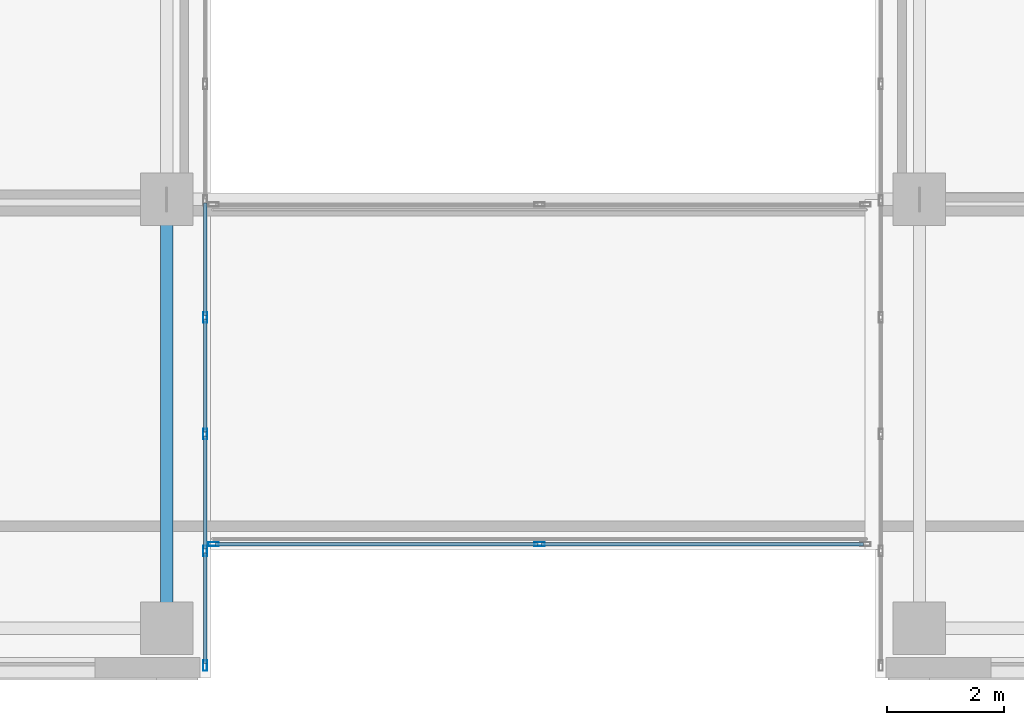
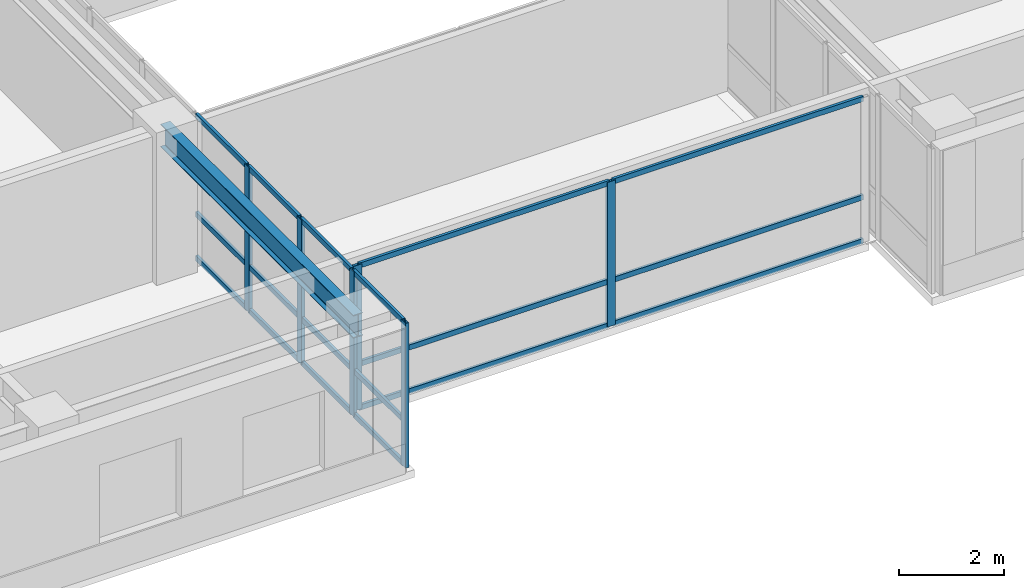
# One storey, part 2 of 31: 24 members, 1 beam, 2 elements without a shape of their own.
"""IFC4 building model written with IfcOpenShell, lengths in metres."""

import ifcopenshell
import ifcopenshell.guid

model = None  # the IFC model being written
_history = None  # IfcOwnerHistory: only IFC2X3 demands one
_inside = {}  # id of a spatial element -> (the spatial element, [elements in it])
_under = {}  # id of a project, library or spatial element -> (it, [spatial elements below it])
_declared = {}  # id of a project -> (the project, [libraries it declares])
_typed = {}  # id of a type object -> (the type object, [elements of that type])
_made_of = {}  # id of a material, layer set ... -> (it, [elements and type objects made of it])


def new_model(schema):
    """Start an empty IFC model of exactly this schema.

    Asked for "IFC4X3", IfcOpenShell would pick the latest addendum, in which some entities
    have other attributes; the version numbers below select the first issue.
    IFC2X3 requires an IfcOwnerHistory on every rooted entity: one is made here for all.
    """
    global model, _history
    if schema == "IFC4X3":
        model = ifcopenshell.file(schema_version=(4, 3, 0, 0))
    else:
        model = ifcopenshell.file(schema=schema)
    _inside.clear()
    _under.clear()
    _declared.clear()
    _typed.clear()
    _made_of.clear()
    _history = None
    if model.schema == "IFC2X3":
        org = make("IfcOrganization", Name="unknown")
        user = make(
            "IfcPersonAndOrganization",
            ThePerson=make("IfcPerson", FamilyName="unknown"),
            TheOrganization=org,
        )
        app = make(
            "IfcApplication",
            ApplicationDeveloper=org,
            Version="unknown",
            ApplicationFullName="unknown",
            ApplicationIdentifier="unknown",
        )
        _history = make(
            "IfcOwnerHistory",
            OwningUser=user,
            OwningApplication=app,
            ChangeAction="ADDED",
            CreationDate=0,
        )
    return model


def make(cls, **values):
    """One entity of the class cls with the attributes given. An attribute that is None is left unset."""
    return model.create_entity(
        cls, **{name: value for name, value in values.items() if value is not None}
    )


def rooted(cls, **values):
    """An entity with a GlobalId (a new one), such as an element, a storey or a relation."""
    return make(cls, GlobalId=ifcopenshell.guid.new(), OwnerHistory=_history, **values)


def si_unit(unit_type, name, prefix=None):
    """IfcSIUnit, for example si_unit("LENGTHUNIT", "METRE", prefix="MILLI")."""
    return make("IfcSIUnit", UnitType=unit_type, Prefix=prefix, Name=name)


def assignment(units):
    """IfcUnitAssignment: the units of a project."""
    return None if units is None else make("IfcUnitAssignment", Units=units)


def point(xyz):
    """IfcCartesianPoint."""
    return None if xyz is None else make("IfcCartesianPoint", Coordinates=xyz)


def direction(xyz):
    """IfcDirection."""
    return None if xyz is None else make("IfcDirection", DirectionRatios=xyz)


def frame(location, z_axis=None, x_axis=None):
    """IfcAxis2Placement3D, a coordinate frame: its origin and axes. An axis left out is left unset."""
    return make(
        "IfcAxis2Placement3D",
        Location=point(location),
        Axis=direction(z_axis),
        RefDirection=direction(x_axis),
    )


def frame_2d(location, x_axis=None):
    """IfcAxis2Placement2D, a coordinate frame in the plane: its origin and x axis."""
    return make(
        "IfcAxis2Placement2D", Location=point(location), RefDirection=direction(x_axis)
    )


def origin():
    """The frame at (0, 0, 0) with its axes left unset."""
    return frame((0.0, 0.0, 0.0))


def origin_2d():
    """The frame at (0, 0) in the plane with its x axis left unset."""
    return frame_2d((0.0, 0.0))


def place(relative_to, where):
    """IfcLocalPlacement: puts the frame where relative to a parent placement (None: the world)."""
    return make(
        "IfcLocalPlacement", PlacementRelTo=relative_to, RelativePlacement=where
    )


def context(
    kind, dimensions, precision=None, world=None, true_north=None, identifier=None
):
    """IfcGeometricRepresentationContext, for example the 3D "Model" context."""
    return make(
        "IfcGeometricRepresentationContext",
        ContextIdentifier=identifier,
        ContextType=kind,
        CoordinateSpaceDimension=dimensions,
        Precision=precision,
        WorldCoordinateSystem=world,
        TrueNorth=true_north,
    )


def subcontext(parent, identifier, kind, view, scale=None):
    """IfcGeometricRepresentationSubContext, for example "Body" below "Model"."""
    return make(
        "IfcGeometricRepresentationSubContext",
        ContextIdentifier=identifier,
        ContextType=kind,
        ParentContext=parent,
        TargetScale=scale,
        TargetView=view,
    )


def project(units=None, contexts=None):
    """IfcProject with its units and contexts."""
    return rooted(
        "IfcProject",
        Name="project",
        RepresentationContexts=contexts,
        UnitsInContext=assignment(units),
    )


def spatial(cls, under=None, at=None, **own):
    """A site, building, storey or space (cls), placed at a placement, below another one or the project."""
    s = rooted(cls, ObjectPlacement=at, **own)
    if under is not None:
        _under.setdefault(under.id(), (under, []))[1].append(s)
    return s


def profile(cls, at=None, kind="AREA", **sizes):
    """A parametric profile (cls). Its sizes go by their IFC names, for example OverallWidth=200.0."""
    return make(cls, ProfileType=kind, Position=at, **sizes)


def hollow_rectangle(**sizes):
    """IfcRectangleHollowProfileDef."""
    return profile("IfcRectangleHollowProfileDef", **sizes)


def i_section(**sizes):
    """IfcIShapeProfileDef."""
    return profile("IfcIShapeProfileDef", **sizes)


def extrude(swept, where, along, depth):
    """IfcExtrudedAreaSolid: the profile swept, set in the frame where, extruded along a direction by depth."""
    return make(
        "IfcExtrudedAreaSolid",
        SweptArea=swept,
        Position=where,
        ExtrudedDirection=direction(along),
        Depth=depth,
    )


def shape(context_of_items, identifier, shape_type, items):
    """IfcShapeRepresentation: the items that make up one representation, for example the "Body"."""
    return make(
        "IfcShapeRepresentation",
        ContextOfItems=context_of_items,
        RepresentationIdentifier=identifier,
        RepresentationType=shape_type,
        Items=items,
    )


def source(mapping_origin, context_of_items, identifier, shape_type, items):
    """IfcRepresentationMap: a shape defined once, which mapped items show again and again."""
    return make(
        "IfcRepresentationMap",
        MappingOrigin=mapping_origin,
        MappedRepresentation=shape(context_of_items, identifier, shape_type, items),
    )


def transform(
    local_origin,
    x_axis=None,
    y_axis=None,
    z_axis=None,
    scale=None,
    scale2=None,
    scale3=None,
    uniform=True,
):
    """IfcCartesianTransformationOperator3D, or its non-uniform kind. x_axis, y_axis, z_axis: its Axis1, 2, 3."""
    if uniform:
        return make(
            "IfcCartesianTransformationOperator3D",
            Axis1=direction(x_axis),
            Axis2=direction(y_axis),
            LocalOrigin=point(local_origin),
            Scale=scale,
            Axis3=direction(z_axis),
        )
    return make(
        "IfcCartesianTransformationOperator3DnonUniform",
        Axis1=direction(x_axis),
        Axis2=direction(y_axis),
        LocalOrigin=point(local_origin),
        Scale=scale,
        Axis3=direction(z_axis),
        Scale2=scale2,
        Scale3=scale3,
    )


def mapped(mapping_source, mapping_target):
    """IfcMappedItem: shows the shape of a source again, moved by a transform."""
    return make(
        "IfcMappedItem", MappingSource=mapping_source, MappingTarget=mapping_target
    )


def material(Name=None, Category=None):
    """IfcMaterial."""
    return make("IfcMaterial", Name=Name, Category=Category)


def layer(
    of_material, thickness, ventilated=None, Name=None, Category=None, Priority=None
):
    """IfcMaterialLayer: one layer of a wall or slab, of a material (None: an air gap)."""
    return make(
        "IfcMaterialLayer",
        Material=of_material,
        LayerThickness=thickness,
        IsVentilated=ventilated,
        Name=Name,
        Category=Category,
        Priority=Priority,
    )


def layer_set(layers, Name=None):
    """IfcMaterialLayerSet."""
    return make("IfcMaterialLayerSet", MaterialLayers=layers, LayerSetName=Name)


def material_profile(
    of_material, cross_section, Name=None, Category=None, Priority=None
):
    """IfcMaterialProfile: a cross section and its material."""
    return make(
        "IfcMaterialProfile",
        Name=Name,
        Material=of_material,
        Profile=cross_section,
        Priority=Priority,
        Category=Category,
    )


def profile_set(profiles, Name=None, composite=None):
    """IfcMaterialProfileSet."""
    return make(
        "IfcMaterialProfileSet",
        Name=Name,
        MaterialProfiles=profiles,
        CompositeProfile=composite,
    )


def made_of(thing, what):
    """Note that an element or type object is made of a material, layer set ...; save() writes the relation."""
    if what is not None:
        _made_of.setdefault(what.id(), (what, []))[1].append(thing)
    return thing


def type_object(cls, material=None, **own):
    """A type object (cls), such as IfcWallType, which elements share."""
    return made_of(rooted(cls, **own), material)


def type_shapes(of_type, sources):
    """Give a type object the sources (RepresentationMaps) that its elements show as mapped items."""
    of_type.RepresentationMaps = sources


def element(
    cls,
    number,
    at=None,
    inside=None,
    cuts=None,
    type_object=None,
    material=None,
    context=None,
    identifier="Body",
    shape_type=None,
    held_by="IfcProductDefinitionShape",
    body=None,
    shapes=None,
    **own,
):
    """One element of the class cls, such as IfcWall. Its Tag is "e" and its number.

    at: its placement. inside: the storey or other place that contains it. cuts: it is an
    opening in that element (IfcRelVoidsElement). A single representation is given by context,
    identifier, shape_type and body (its items); several are given by shapes. held_by: the class
    of the entity that holds the representations. save() writes the other relations.
    """
    e = rooted(cls, Tag="e%d" % number, ObjectPlacement=at, **own)
    if body is not None:
        shapes = [shape(context, identifier, shape_type, body)]
    if shapes is not None:
        e.Representation = make(held_by, Representations=shapes)
    if inside is not None:
        _inside.setdefault(inside.id(), (inside, []))[1].append(e)
    if cuts is not None:
        rooted(
            "IfcRelVoidsElement", RelatingBuildingElement=cuts, RelatedOpeningElement=e
        )
    if type_object is not None:
        _typed.setdefault(type_object.id(), (type_object, []))[1].append(e)
    return made_of(e, material)


def aggregate(whole, parts):
    """IfcRelAggregates: a whole, such as a stair, and the parts it consists of."""
    return rooted("IfcRelAggregates", RelatingObject=whole, RelatedObjects=parts)


def save(model, path):
    """Write the relations noted so far, then the file.

    IfcRelAggregates (storeys below a building ...), IfcRelContainedInSpatialStructure (elements
    in a storey), IfcRelDefinesByType, IfcRelAssociatesMaterial and IfcRelDeclares: one each for
    every whole, place, type object, material and project.
    """
    for whole, parts in _under.values():
        aggregate(whole, parts)
    for where, things in _inside.values():
        rooted(
            "IfcRelContainedInSpatialStructure",
            RelatedElements=things,
            RelatingStructure=where,
        )
    for kind, things in _typed.values():
        rooted("IfcRelDefinesByType", RelatedObjects=things, RelatingType=kind)
    for what, things in _made_of.values():
        rooted("IfcRelAssociatesMaterial", RelatedObjects=things, RelatingMaterial=what)
    for by, libraries in _declared.values():
        rooted("IfcRelDeclares", RelatingContext=by, RelatedDefinitions=libraries)
    model.write(path)


model = new_model("IFC4")

# Units and contexts
model_context = context("Model", 3, precision=1e-05, world=origin(), true_north=direction((0.0, 1.0)))
body_context = subcontext(model_context, "Body", "Model", "MODEL_VIEW")
ifc_project = project(units=[si_unit("LENGTHUNIT", "METRE"), si_unit("AREAUNIT", "SQUARE_METRE"), si_unit("VOLUMEUNIT", "CUBIC_METRE"), si_unit("PLANEANGLEUNIT", "RADIAN"), si_unit("MASSUNIT", "GRAM", prefix="KILO")], contexts=[model_context])

# Site, building, storey
site_placement = place(None, origin())
site = spatial("IfcSite", under=ifc_project, at=site_placement, CompositionType="ELEMENT")
building_placement = place(site_placement, origin())
building = spatial("IfcBuilding", under=site, at=building_placement, Name="Tolvann Quenvar Hotel", CompositionType="ELEMENT")
storey_placement = place(building_placement, frame((0.0, 0.0, 125.75)))
storey = spatial("IfcBuildingStorey", under=building, at=storey_placement, Name="L32", CompositionType="ELEMENT", Elevation=125.75)

# Beam
ifc_material_1 = material(Name="Steel Grade 350", Category="steel")
ifc_material_profile_1 = material_profile(ifc_material_1, i_section(OverallWidth=0.208984375, OverallDepth=0.532958984375, WebThickness=0.01025390625, FlangeThickness=0.015625, FilletRadius=0.013916015625, at=origin_2d()), Name="530UB92")
ifc_profile_set_1 = profile_set([ifc_material_profile_1], Name="Steel Grade 350")
beam_type = type_object("IfcBeamType", Name="BM_GIRD_530UB92", PredefinedType="BEAM", material=ifc_profile_set_1)
shared_shape_1 = source(origin(), body_context, "Body", "SweptSolid", [
    extrude(i_section(OverallWidth=0.208984375, OverallDepth=0.532958984375, WebThickness=0.01025390625, FlangeThickness=0.015625, FilletRadius=0.013916015625, at=origin_2d()), origin(), (0.0, 0.0, 1.0), 7.349853515625),
])
type_shapes(beam_type, [shared_shape_1])
beam_placement = place(storey_placement, frame((22.050048828125, 0.85009765625, 3.103515625), z_axis=(0.0, 1.0, 0.0), x_axis=(-1.0, 0.0, 0.0)))
element("IfcBeam", 1, at=beam_placement, inside=storey, type_object=beam_type, Name="BM-L32-NS-E2-E3", PredefinedType="BEAM", context=body_context, shape_type="MappedRepresentation", body=[
    mapped(shared_shape_1, transform((0.0, 0.0, 0.0), x_axis=(1.0, 0.0, 0.0), y_axis=(0.0, 1.0, 0.0), z_axis=(0.0, 0.0, 1.0), scale=1.0)),
])

# Curtain wall, members
ifc_material_2 = material(Name="Thermally broken anodised architectural aluminium 6063-T6 and laminated low-E glass", Category="aluminium")
ifc_layer = layer(ifc_material_2, 0.179931640625)
ifc_layer_set = layer_set([ifc_layer], Name="Thermally broken anodised architectural aluminium 6063-T6 and laminated low-E glass")
curtain_wall_type = type_object("IfcCurtainWallType", Name="CW_SYS_SLOT_03", PredefinedType="USERDEFINED", material=ifc_layer_set)
curtain_wall_1_placement = place(storey_placement, origin())
curtain_wall_1 = element("IfcCurtainWall", 2, at=curtain_wall_1_placement, inside=storey, type_object=curtain_wall_type, Name="Curtain Wall CW-SLOT-03 (CWR-L32-E05)", ObjectType="UNITISED CURTAIN WALL", PredefinedType="USERDEFINED")
ifc_material_3 = material(Name="Anodised architectural aluminium 6063-T6 framing", Category="aluminium")
ifc_material_profile_2 = material_profile(ifc_material_3, hollow_rectangle(XDim=0.070068359375, YDim=0.179931640625, WallThickness=0.00390625, at=origin_2d()), Name="180x70x4RHS")
ifc_profile_set_2 = profile_set([ifc_material_profile_2], Name="Anodised architectural aluminium 6063-T6 framing")
member_type_1 = type_object("IfcMemberType", Name="CW_MULL_180x70", PredefinedType="MULLION", material=ifc_profile_set_2)
shared_shape_2 = source(origin(), body_context, "Body", "SweptSolid", [
    extrude(hollow_rectangle(XDim=0.070068359375, YDim=0.179931640625, WallThickness=0.00390625, at=origin_2d()), origin(), (0.0, 0.0, 1.0), 3.3701171875),
])
type_shapes(member_type_1, [shared_shape_2])
member_1_placement = place(storey_placement, frame((22.7099609375, 0.2099609375, 0.0), z_axis=(0.0, 0.0, 1.0), x_axis=(-1.0, 0.0, 0.0)))
member_1 = element("IfcMember", 3, at=member_1_placement, type_object=member_type_1, Name="CW-SLOT-03 mullion 1", PredefinedType="MULLION", context=body_context, shape_type="MappedRepresentation", body=[
    mapped(shared_shape_2, transform((0.0, 0.0, 0.0), x_axis=(1.0, 0.0, 0.0), y_axis=(0.0, 1.0, 0.0), z_axis=(0.0, 0.0, 1.0), scale=1.0)),
])
member_2_placement = place(storey_placement, frame((22.7099609375, 2.175048828125, 0.0), z_axis=(0.0, 0.0, 1.0), x_axis=(-1.0, 0.0, 0.0)))
member_2 = element("IfcMember", 4, at=member_2_placement, type_object=member_type_1, Name="CW-SLOT-03 mullion 2", PredefinedType="MULLION", context=body_context, shape_type="MappedRepresentation", body=[
    mapped(shared_shape_2, transform((0.0, 0.0, 0.0), x_axis=(1.0, 0.0, 0.0), y_axis=(0.0, 1.0, 0.0), z_axis=(0.0, 0.0, 1.0), scale=1.0)),
])
member_3_placement = place(storey_placement, frame((22.7099609375, 4.175048828125, 0.0), z_axis=(0.0, 0.0, 1.0), x_axis=(-1.0, 0.0, 0.0)))
member_3 = element("IfcMember", 5, at=member_3_placement, type_object=member_type_1, Name="CW-SLOT-03 mullion 3", PredefinedType="MULLION", context=body_context, shape_type="MappedRepresentation", body=[
    mapped(shared_shape_2, transform((0.0, 0.0, 0.0), x_axis=(1.0, 0.0, 0.0), y_axis=(0.0, 1.0, 0.0), z_axis=(0.0, 0.0, 1.0), scale=1.0)),
])
member_4_placement = place(storey_placement, frame((22.7099609375, 6.175048828125, 0.0), z_axis=(0.0, 0.0, 1.0), x_axis=(-1.0, 0.0, 0.0)))
member_4 = element("IfcMember", 6, at=member_4_placement, type_object=member_type_1, Name="CW-SLOT-03 mullion 4", PredefinedType="MULLION", context=body_context, shape_type="MappedRepresentation", body=[
    mapped(shared_shape_2, transform((0.0, 0.0, 0.0), x_axis=(1.0, 0.0, 0.0), y_axis=(0.0, 1.0, 0.0), z_axis=(0.0, 0.0, 1.0), scale=1.0)),
])

curtain_wall_2_placement = place(storey_placement, origin())
curtain_wall_2 = element("IfcCurtainWall", 7, at=curtain_wall_2_placement, inside=storey, type_object=curtain_wall_type, Name="Curtain Wall CW-SLOT-03 (CWR-BRG-L32-S)", ObjectType="UNITISED CURTAIN WALL", PredefinedType="USERDEFINED")
member_5_placement = place(storey_placement, frame((22.85498046875, 2.2900390625, 0.0), z_axis=(0.0, 0.0, 1.0), x_axis=(0.0, 1.0, 0.0)))
member_5 = element("IfcMember", 8, at=member_5_placement, type_object=member_type_1, Name="CW-SLOT-03 mullion 1", PredefinedType="MULLION", context=body_context, shape_type="MappedRepresentation", body=[
    mapped(shared_shape_2, transform((0.0, 0.0, 0.0), x_axis=(1.0, 0.0, 0.0), y_axis=(0.0, 1.0, 0.0), z_axis=(0.0, 0.0, 1.0), scale=1.0)),
])
member_6_placement = place(storey_placement, frame((28.43994140625, 2.2900390625, 0.0), z_axis=(0.0, 0.0, 1.0), x_axis=(0.0, 1.0, 0.0)))
member_6 = element("IfcMember", 9, at=member_6_placement, type_object=member_type_1, Name="CW-SLOT-03 mullion 2", PredefinedType="MULLION", context=body_context, shape_type="MappedRepresentation", body=[
    mapped(shared_shape_2, transform((0.0, 0.0, 0.0), x_axis=(1.0, 0.0, 0.0), y_axis=(0.0, 1.0, 0.0), z_axis=(0.0, 0.0, 1.0), scale=1.0)),
])

# Member
ifc_material_profile_3 = material_profile(ifc_material_3, hollow_rectangle(XDim=0.06005859375, YDim=0.1201171875, WallThickness=0.00341796875, at=origin_2d()), Name="120x60x3.5RHS")
ifc_profile_set_3 = profile_set([ifc_material_profile_3], Name="Anodised architectural aluminium 6063-T6 framing")
member_type_2 = type_object("IfcMemberType", Name="CW_TRAN_120x60", PredefinedType="USERDEFINED", material=ifc_profile_set_3)
shared_shape_3 = source(origin(), body_context, "Body", "SweptSolid", [
    extrude(hollow_rectangle(XDim=0.06005859375, YDim=0.1201171875, WallThickness=0.00341796875, at=origin_2d()), origin(), (0.0, 0.0, 1.0), 1.894775390625),
])
member_7_placement = place(storey_placement, frame((22.7099609375, 0.2451171875, 0.030029296875), z_axis=(0.0, 1.0, 0.0), x_axis=(-1.0, 0.0, 0.0)))
member_7 = element("IfcMember", 10, at=member_7_placement, type_object=member_type_2, Name="CW-SLOT-03 transom 1.1", ObjectType="TRANSOM", PredefinedType="USERDEFINED", context=body_context, shape_type="MappedRepresentation", body=[
    mapped(shared_shape_3, transform((0.0, 0.0, 0.0), x_axis=(1.0, 0.0, 0.0), y_axis=(0.0, 1.0, 0.0), z_axis=(0.0, 0.0, 1.0), scale=1.0)),
])

member_8_placement = place(storey_placement, frame((22.7099609375, 0.2451171875, 1.050048828125), z_axis=(0.0, 1.0, 0.0), x_axis=(-1.0, 0.0, 0.0)))
member_8 = element("IfcMember", 11, at=member_8_placement, type_object=member_type_2, Name="CW-SLOT-03 transom 1.2", ObjectType="TRANSOM", PredefinedType="USERDEFINED", context=body_context, shape_type="MappedRepresentation", body=[
    mapped(shared_shape_3, transform((0.0, 0.0, 0.0), x_axis=(1.0, 0.0, 0.0), y_axis=(0.0, 1.0, 0.0), z_axis=(0.0, 0.0, 1.0), scale=1.0)),
])

member_9_placement = place(storey_placement, frame((22.7099609375, 0.2451171875, 3.340087890625), z_axis=(0.0, 1.0, 0.0), x_axis=(-1.0, 0.0, 0.0)))
member_9 = element("IfcMember", 12, at=member_9_placement, type_object=member_type_2, Name="CW-SLOT-03 transom 1.3", ObjectType="TRANSOM", PredefinedType="USERDEFINED", context=body_context, shape_type="MappedRepresentation", body=[
    mapped(shared_shape_3, transform((0.0, 0.0, 0.0), x_axis=(1.0, 0.0, 0.0), y_axis=(0.0, 1.0, 0.0), z_axis=(0.0, 0.0, 1.0), scale=1.0)),
])

shared_shape_4 = source(origin(), body_context, "Body", "SweptSolid", [
    extrude(hollow_rectangle(XDim=0.06005859375, YDim=0.1201171875, WallThickness=0.00341796875, at=origin_2d()), origin(), (0.0, 0.0, 1.0), 1.929931640625),
])
member_10_placement = place(storey_placement, frame((22.7099609375, 2.2099609375, 0.030029296875), z_axis=(0.0, 1.0, 0.0), x_axis=(-1.0, 0.0, 0.0)))
member_10 = element("IfcMember", 13, at=member_10_placement, type_object=member_type_2, Name="CW-SLOT-03 transom 2.1", ObjectType="TRANSOM", PredefinedType="USERDEFINED", context=body_context, shape_type="MappedRepresentation", body=[
    mapped(shared_shape_4, transform((0.0, 0.0, 0.0), x_axis=(1.0, 0.0, 0.0), y_axis=(0.0, 1.0, 0.0), z_axis=(0.0, 0.0, 1.0), scale=1.0)),
])

member_11_placement = place(storey_placement, frame((22.7099609375, 2.2099609375, 1.050048828125), z_axis=(0.0, 1.0, 0.0), x_axis=(-1.0, 0.0, 0.0)))
member_11 = element("IfcMember", 14, at=member_11_placement, type_object=member_type_2, Name="CW-SLOT-03 transom 2.2", ObjectType="TRANSOM", PredefinedType="USERDEFINED", context=body_context, shape_type="MappedRepresentation", body=[
    mapped(shared_shape_4, transform((0.0, 0.0, 0.0), x_axis=(1.0, 0.0, 0.0), y_axis=(0.0, 1.0, 0.0), z_axis=(0.0, 0.0, 1.0), scale=1.0)),
])

member_12_placement = place(storey_placement, frame((22.7099609375, 2.2099609375, 3.340087890625), z_axis=(0.0, 1.0, 0.0), x_axis=(-1.0, 0.0, 0.0)))
member_12 = element("IfcMember", 15, at=member_12_placement, type_object=member_type_2, Name="CW-SLOT-03 transom 2.3", ObjectType="TRANSOM", PredefinedType="USERDEFINED", context=body_context, shape_type="MappedRepresentation", body=[
    mapped(shared_shape_4, transform((0.0, 0.0, 0.0), x_axis=(1.0, 0.0, 0.0), y_axis=(0.0, 1.0, 0.0), z_axis=(0.0, 0.0, 1.0), scale=1.0)),
])

member_13_placement = place(storey_placement, frame((22.7099609375, 4.2099609375, 0.030029296875), z_axis=(0.0, 1.0, 0.0), x_axis=(-1.0, 0.0, 0.0)))
member_13 = element("IfcMember", 16, at=member_13_placement, type_object=member_type_2, Name="CW-SLOT-03 transom 3.1", ObjectType="TRANSOM", PredefinedType="USERDEFINED", context=body_context, shape_type="MappedRepresentation", body=[
    mapped(shared_shape_4, transform((0.0, 0.0, 0.0), x_axis=(1.0, 0.0, 0.0), y_axis=(0.0, 1.0, 0.0), z_axis=(0.0, 0.0, 1.0), scale=1.0)),
])

member_14_placement = place(storey_placement, frame((22.7099609375, 4.2099609375, 1.050048828125), z_axis=(0.0, 1.0, 0.0), x_axis=(-1.0, 0.0, 0.0)))
member_14 = element("IfcMember", 17, at=member_14_placement, type_object=member_type_2, Name="CW-SLOT-03 transom 3.2", ObjectType="TRANSOM", PredefinedType="USERDEFINED", context=body_context, shape_type="MappedRepresentation", body=[
    mapped(shared_shape_4, transform((0.0, 0.0, 0.0), x_axis=(1.0, 0.0, 0.0), y_axis=(0.0, 1.0, 0.0), z_axis=(0.0, 0.0, 1.0), scale=1.0)),
])

member_15_placement = place(storey_placement, frame((22.7099609375, 4.2099609375, 3.340087890625), z_axis=(0.0, 1.0, 0.0), x_axis=(-1.0, 0.0, 0.0)))
member_15 = element("IfcMember", 18, at=member_15_placement, type_object=member_type_2, Name="CW-SLOT-03 transom 3.3", ObjectType="TRANSOM", PredefinedType="USERDEFINED", context=body_context, shape_type="MappedRepresentation", body=[
    mapped(shared_shape_4, transform((0.0, 0.0, 0.0), x_axis=(1.0, 0.0, 0.0), y_axis=(0.0, 1.0, 0.0), z_axis=(0.0, 0.0, 1.0), scale=1.0)),
])

member_16_placement = place(storey_placement, frame((22.7099609375, 6.2099609375, 0.030029296875), z_axis=(0.0, 1.0, 0.0), x_axis=(-1.0, 0.0, 0.0)))
member_16 = element("IfcMember", 19, at=member_16_placement, type_object=member_type_2, Name="CW-SLOT-03 transom 4.1", ObjectType="TRANSOM", PredefinedType="USERDEFINED", context=body_context, shape_type="MappedRepresentation", body=[
    mapped(shared_shape_4, transform((0.0, 0.0, 0.0), x_axis=(1.0, 0.0, 0.0), y_axis=(0.0, 1.0, 0.0), z_axis=(0.0, 0.0, 1.0), scale=1.0)),
])

member_17_placement = place(storey_placement, frame((22.7099609375, 6.2099609375, 1.050048828125), z_axis=(0.0, 1.0, 0.0), x_axis=(-1.0, 0.0, 0.0)))
member_17 = element("IfcMember", 20, at=member_17_placement, type_object=member_type_2, Name="CW-SLOT-03 transom 4.2", ObjectType="TRANSOM", PredefinedType="USERDEFINED", context=body_context, shape_type="MappedRepresentation", body=[
    mapped(shared_shape_4, transform((0.0, 0.0, 0.0), x_axis=(1.0, 0.0, 0.0), y_axis=(0.0, 1.0, 0.0), z_axis=(0.0, 0.0, 1.0), scale=1.0)),
])

member_18_placement = place(storey_placement, frame((22.7099609375, 6.2099609375, 3.340087890625), z_axis=(0.0, 1.0, 0.0), x_axis=(-1.0, 0.0, 0.0)))
member_18 = element("IfcMember", 21, at=member_18_placement, type_object=member_type_2, Name="CW-SLOT-03 transom 4.3", ObjectType="TRANSOM", PredefinedType="USERDEFINED", context=body_context, shape_type="MappedRepresentation", body=[
    mapped(shared_shape_4, transform((0.0, 0.0, 0.0), x_axis=(1.0, 0.0, 0.0), y_axis=(0.0, 1.0, 0.0), z_axis=(0.0, 0.0, 1.0), scale=1.0)),
])

aggregate(curtain_wall_1, [member_1, member_2, member_3, member_4, member_7, member_8, member_9, member_10, member_11, member_12, member_13, member_14, member_15, member_16, member_17, member_18])

shared_shape_5 = source(origin(), body_context, "Body", "SweptSolid", [
    extrude(hollow_rectangle(XDim=0.06005859375, YDim=0.1201171875, WallThickness=0.00341796875, at=origin_2d()), origin(), (0.0, 0.0, 1.0), 5.51513671875),
])
member_19_placement = place(storey_placement, frame((22.889892578125, 2.2900390625, 0.030029296875), z_axis=(1.0, 0.0, 0.0), x_axis=(0.0, 1.0, 0.0)))
member_19 = element("IfcMember", 22, at=member_19_placement, type_object=member_type_2, Name="CW-SLOT-03 transom 1.1", ObjectType="TRANSOM", PredefinedType="USERDEFINED", context=body_context, shape_type="MappedRepresentation", body=[
    mapped(shared_shape_5, transform((0.0, 0.0, 0.0), x_axis=(1.0, 0.0, 0.0), y_axis=(0.0, 1.0, 0.0), z_axis=(0.0, 0.0, 1.0), scale=1.0)),
])

member_20_placement = place(storey_placement, frame((22.889892578125, 2.2900390625, 1.050048828125), z_axis=(1.0, 0.0, 0.0), x_axis=(0.0, 1.0, 0.0)))
member_20 = element("IfcMember", 23, at=member_20_placement, type_object=member_type_2, Name="CW-SLOT-03 transom 1.2", ObjectType="TRANSOM", PredefinedType="USERDEFINED", context=body_context, shape_type="MappedRepresentation", body=[
    mapped(shared_shape_5, transform((0.0, 0.0, 0.0), x_axis=(1.0, 0.0, 0.0), y_axis=(0.0, 1.0, 0.0), z_axis=(0.0, 0.0, 1.0), scale=1.0)),
])

member_21_placement = place(storey_placement, frame((22.889892578125, 2.2900390625, 3.340087890625), z_axis=(1.0, 0.0, 0.0), x_axis=(0.0, 1.0, 0.0)))
member_21 = element("IfcMember", 24, at=member_21_placement, type_object=member_type_2, Name="CW-SLOT-03 transom 1.3", ObjectType="TRANSOM", PredefinedType="USERDEFINED", context=body_context, shape_type="MappedRepresentation", body=[
    mapped(shared_shape_5, transform((0.0, 0.0, 0.0), x_axis=(1.0, 0.0, 0.0), y_axis=(0.0, 1.0, 0.0), z_axis=(0.0, 0.0, 1.0), scale=1.0)),
])

shared_shape_6 = source(origin(), body_context, "Body", "SweptSolid", [
    extrude(hollow_rectangle(XDim=0.06005859375, YDim=0.1201171875, WallThickness=0.00341796875, at=origin_2d()), origin(), (0.0, 0.0, 1.0), 5.514892578125),
])
type_shapes(member_type_2, [shared_shape_3, shared_shape_4, shared_shape_5, shared_shape_6])
member_22_placement = place(storey_placement, frame((28.47509765625, 2.2900390625, 0.030029296875), z_axis=(1.0, 0.0, 0.0), x_axis=(0.0, 1.0, 0.0)))
member_22 = element("IfcMember", 25, at=member_22_placement, type_object=member_type_2, Name="CW-SLOT-03 transom 2.1", ObjectType="TRANSOM", PredefinedType="USERDEFINED", context=body_context, shape_type="MappedRepresentation", body=[
    mapped(shared_shape_6, transform((0.0, 0.0, 0.0), x_axis=(1.0, 0.0, 0.0), y_axis=(0.0, 1.0, 0.0), z_axis=(0.0, 0.0, 1.0), scale=1.0)),
])

member_23_placement = place(storey_placement, frame((28.47509765625, 2.2900390625, 1.050048828125), z_axis=(1.0, 0.0, 0.0), x_axis=(0.0, 1.0, 0.0)))
member_23 = element("IfcMember", 26, at=member_23_placement, type_object=member_type_2, Name="CW-SLOT-03 transom 2.2", ObjectType="TRANSOM", PredefinedType="USERDEFINED", context=body_context, shape_type="MappedRepresentation", body=[
    mapped(shared_shape_6, transform((0.0, 0.0, 0.0), x_axis=(1.0, 0.0, 0.0), y_axis=(0.0, 1.0, 0.0), z_axis=(0.0, 0.0, 1.0), scale=1.0)),
])

member_24_placement = place(storey_placement, frame((28.47509765625, 2.2900390625, 3.340087890625), z_axis=(1.0, 0.0, 0.0), x_axis=(0.0, 1.0, 0.0)))
member_24 = element("IfcMember", 27, at=member_24_placement, type_object=member_type_2, Name="CW-SLOT-03 transom 2.3", ObjectType="TRANSOM", PredefinedType="USERDEFINED", context=body_context, shape_type="MappedRepresentation", body=[
    mapped(shared_shape_6, transform((0.0, 0.0, 0.0), x_axis=(1.0, 0.0, 0.0), y_axis=(0.0, 1.0, 0.0), z_axis=(0.0, 0.0, 1.0), scale=1.0)),
])

aggregate(curtain_wall_2, [member_5, member_6, member_19, member_20, member_21, member_22, member_23, member_24])

save(model, "model.ifc")
